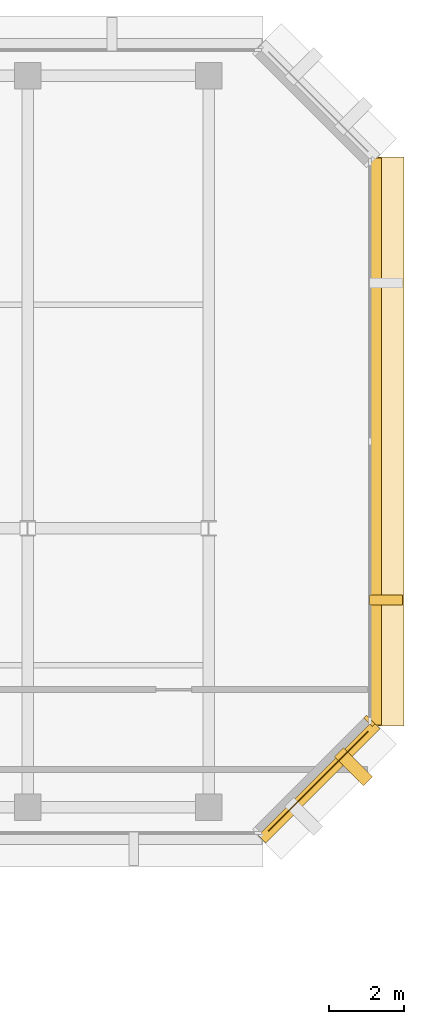
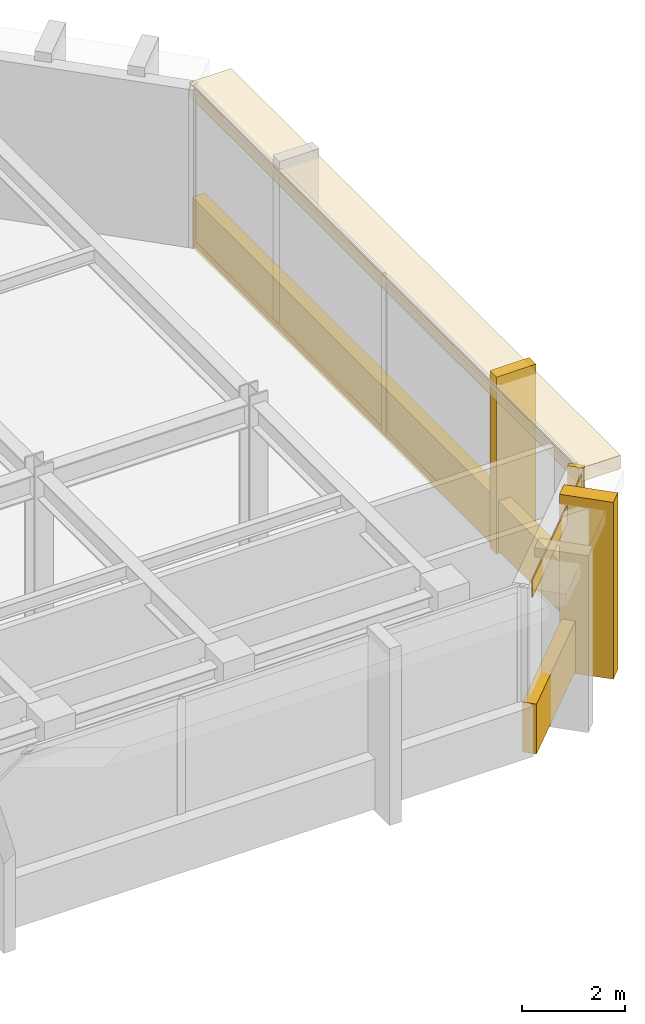
# One storey, part 10 of 12: 7 coverings.
"""IFC4 building model written with IfcOpenShell, lengths in metres."""

import ifcopenshell
import ifcopenshell.guid

model = None  # the IFC model being written
_history = None  # IfcOwnerHistory: only IFC2X3 demands one
_inside = {}  # id of a spatial element -> (the spatial element, [elements in it])
_under = {}  # id of a project, library or spatial element -> (it, [spatial elements below it])
_declared = {}  # id of a project -> (the project, [libraries it declares])
_typed = {}  # id of a type object -> (the type object, [elements of that type])
_made_of = {}  # id of a material, layer set ... -> (it, [elements and type objects made of it])


def new_model(schema):
    """Start an empty IFC model of exactly this schema.

    Asked for "IFC4X3", IfcOpenShell would pick the latest addendum, in which some entities
    have other attributes; the version numbers below select the first issue.
    IFC2X3 requires an IfcOwnerHistory on every rooted entity: one is made here for all.
    """
    global model, _history
    if schema == "IFC4X3":
        model = ifcopenshell.file(schema_version=(4, 3, 0, 0))
    else:
        model = ifcopenshell.file(schema=schema)
    _inside.clear()
    _under.clear()
    _declared.clear()
    _typed.clear()
    _made_of.clear()
    _history = None
    if model.schema == "IFC2X3":
        org = make("IfcOrganization", Name="unknown")
        user = make(
            "IfcPersonAndOrganization",
            ThePerson=make("IfcPerson", FamilyName="unknown"),
            TheOrganization=org,
        )
        app = make(
            "IfcApplication",
            ApplicationDeveloper=org,
            Version="unknown",
            ApplicationFullName="unknown",
            ApplicationIdentifier="unknown",
        )
        _history = make(
            "IfcOwnerHistory",
            OwningUser=user,
            OwningApplication=app,
            ChangeAction="ADDED",
            CreationDate=0,
        )
    return model


def make(cls, **values):
    """One entity of the class cls with the attributes given. An attribute that is None is left unset."""
    return model.create_entity(
        cls, **{name: value for name, value in values.items() if value is not None}
    )


def rooted(cls, **values):
    """An entity with a GlobalId (a new one), such as an element, a storey or a relation."""
    return make(cls, GlobalId=ifcopenshell.guid.new(), OwnerHistory=_history, **values)


def si_unit(unit_type, name, prefix=None):
    """IfcSIUnit, for example si_unit("LENGTHUNIT", "METRE", prefix="MILLI")."""
    return make("IfcSIUnit", UnitType=unit_type, Prefix=prefix, Name=name)


def assignment(units):
    """IfcUnitAssignment: the units of a project."""
    return None if units is None else make("IfcUnitAssignment", Units=units)


def point(xyz):
    """IfcCartesianPoint."""
    return None if xyz is None else make("IfcCartesianPoint", Coordinates=xyz)


def direction(xyz):
    """IfcDirection."""
    return None if xyz is None else make("IfcDirection", DirectionRatios=xyz)


def frame(location, z_axis=None, x_axis=None):
    """IfcAxis2Placement3D, a coordinate frame: its origin and axes. An axis left out is left unset."""
    return make(
        "IfcAxis2Placement3D",
        Location=point(location),
        Axis=direction(z_axis),
        RefDirection=direction(x_axis),
    )


def frame_2d(location, x_axis=None):
    """IfcAxis2Placement2D, a coordinate frame in the plane: its origin and x axis."""
    return make(
        "IfcAxis2Placement2D", Location=point(location), RefDirection=direction(x_axis)
    )


def origin():
    """The frame at (0, 0, 0) with its axes left unset."""
    return frame((0.0, 0.0, 0.0))


def origin_2d():
    """The frame at (0, 0) in the plane with its x axis left unset."""
    return frame_2d((0.0, 0.0))


def place(relative_to, where):
    """IfcLocalPlacement: puts the frame where relative to a parent placement (None: the world)."""
    return make(
        "IfcLocalPlacement", PlacementRelTo=relative_to, RelativePlacement=where
    )


def context(
    kind, dimensions, precision=None, world=None, true_north=None, identifier=None
):
    """IfcGeometricRepresentationContext, for example the 3D "Model" context."""
    return make(
        "IfcGeometricRepresentationContext",
        ContextIdentifier=identifier,
        ContextType=kind,
        CoordinateSpaceDimension=dimensions,
        Precision=precision,
        WorldCoordinateSystem=world,
        TrueNorth=true_north,
    )


def subcontext(parent, identifier, kind, view, scale=None):
    """IfcGeometricRepresentationSubContext, for example "Body" below "Model"."""
    return make(
        "IfcGeometricRepresentationSubContext",
        ContextIdentifier=identifier,
        ContextType=kind,
        ParentContext=parent,
        TargetScale=scale,
        TargetView=view,
    )


def project(units=None, contexts=None):
    """IfcProject with its units and contexts."""
    return rooted(
        "IfcProject",
        Name="project",
        RepresentationContexts=contexts,
        UnitsInContext=assignment(units),
    )


def spatial(cls, under=None, at=None, **own):
    """A site, building, storey or space (cls), placed at a placement, below another one or the project."""
    s = rooted(cls, ObjectPlacement=at, **own)
    if under is not None:
        _under.setdefault(under.id(), (under, []))[1].append(s)
    return s


def profile(cls, at=None, kind="AREA", **sizes):
    """A parametric profile (cls). Its sizes go by their IFC names, for example OverallWidth=200.0."""
    return make(cls, ProfileType=kind, Position=at, **sizes)


def rectangle(**sizes):
    """IfcRectangleProfileDef."""
    return profile("IfcRectangleProfileDef", **sizes)


def extrude(swept, where, along, depth):
    """IfcExtrudedAreaSolid: the profile swept, set in the frame where, extruded along a direction by depth."""
    return make(
        "IfcExtrudedAreaSolid",
        SweptArea=swept,
        Position=where,
        ExtrudedDirection=direction(along),
        Depth=depth,
    )


def shape(context_of_items, identifier, shape_type, items):
    """IfcShapeRepresentation: the items that make up one representation, for example the "Body"."""
    return make(
        "IfcShapeRepresentation",
        ContextOfItems=context_of_items,
        RepresentationIdentifier=identifier,
        RepresentationType=shape_type,
        Items=items,
    )


def material(Name=None, Category=None):
    """IfcMaterial."""
    return make("IfcMaterial", Name=Name, Category=Category)


def layer(
    of_material, thickness, ventilated=None, Name=None, Category=None, Priority=None
):
    """IfcMaterialLayer: one layer of a wall or slab, of a material (None: an air gap)."""
    return make(
        "IfcMaterialLayer",
        Material=of_material,
        LayerThickness=thickness,
        IsVentilated=ventilated,
        Name=Name,
        Category=Category,
        Priority=Priority,
    )


def layer_set(layers, Name=None):
    """IfcMaterialLayerSet."""
    return make("IfcMaterialLayerSet", MaterialLayers=layers, LayerSetName=Name)


def made_of(thing, what):
    """Note that an element or type object is made of a material, layer set ...; save() writes the relation."""
    if what is not None:
        _made_of.setdefault(what.id(), (what, []))[1].append(thing)
    return thing


def type_object(cls, material=None, **own):
    """A type object (cls), such as IfcWallType, which elements share."""
    return made_of(rooted(cls, **own), material)


def element(
    cls,
    number,
    at=None,
    inside=None,
    cuts=None,
    type_object=None,
    material=None,
    context=None,
    identifier="Body",
    shape_type=None,
    held_by="IfcProductDefinitionShape",
    body=None,
    shapes=None,
    **own,
):
    """One element of the class cls, such as IfcWall. Its Tag is "e" and its number.

    at: its placement. inside: the storey or other place that contains it. cuts: it is an
    opening in that element (IfcRelVoidsElement). A single representation is given by context,
    identifier, shape_type and body (its items); several are given by shapes. held_by: the class
    of the entity that holds the representations. save() writes the other relations.
    """
    e = rooted(cls, Tag="e%d" % number, ObjectPlacement=at, **own)
    if body is not None:
        shapes = [shape(context, identifier, shape_type, body)]
    if shapes is not None:
        e.Representation = make(held_by, Representations=shapes)
    if inside is not None:
        _inside.setdefault(inside.id(), (inside, []))[1].append(e)
    if cuts is not None:
        rooted(
            "IfcRelVoidsElement", RelatingBuildingElement=cuts, RelatedOpeningElement=e
        )
    if type_object is not None:
        _typed.setdefault(type_object.id(), (type_object, []))[1].append(e)
    return made_of(e, material)


def aggregate(whole, parts):
    """IfcRelAggregates: a whole, such as a stair, and the parts it consists of."""
    return rooted("IfcRelAggregates", RelatingObject=whole, RelatedObjects=parts)


def save(model, path):
    """Write the relations noted so far, then the file.

    IfcRelAggregates (storeys below a building ...), IfcRelContainedInSpatialStructure (elements
    in a storey), IfcRelDefinesByType, IfcRelAssociatesMaterial and IfcRelDeclares: one each for
    every whole, place, type object, material and project.
    """
    for whole, parts in _under.values():
        aggregate(whole, parts)
    for where, things in _inside.values():
        rooted(
            "IfcRelContainedInSpatialStructure",
            RelatedElements=things,
            RelatingStructure=where,
        )
    for kind, things in _typed.values():
        rooted("IfcRelDefinesByType", RelatedObjects=things, RelatingType=kind)
    for what, things in _made_of.values():
        rooted("IfcRelAssociatesMaterial", RelatedObjects=things, RelatingMaterial=what)
    for by, libraries in _declared.values():
        rooted("IfcRelDeclares", RelatingContext=by, RelatedDefinitions=libraries)
    model.write(path)


model = new_model("IFC4")

# Units and contexts
model_context = context("Model", 3, precision=1e-05, world=origin(), true_north=direction((0.0, 1.0)))
body_context = subcontext(model_context, "Body", "Model", "MODEL_VIEW")
ifc_project = project(units=[si_unit("LENGTHUNIT", "METRE"), si_unit("AREAUNIT", "SQUARE_METRE"), si_unit("VOLUMEUNIT", "CUBIC_METRE"), si_unit("PLANEANGLEUNIT", "RADIAN"), si_unit("MASSUNIT", "GRAM", prefix="KILO")], contexts=[model_context])

# Site, building, storey
site_placement = place(None, origin())
site = spatial("IfcSite", under=ifc_project, at=site_placement, CompositionType="ELEMENT")
building_placement = place(site_placement, origin())
building = spatial("IfcBuilding", under=site, at=building_placement, Name="Kefirva Bronze Tower", CompositionType="ELEMENT")
storey_placement = place(building_placement, frame((0.0, 0.0, 327.68994140625)))
storey = spatial("IfcBuildingStorey", under=building, at=storey_placement, Name="L80", CompositionType="ELEMENT", Elevation=327.68994140625)

# Coverings
ifc_material = material(Name="Bronze anodised aluminium", Category="aluminium")
ifc_layer_1 = layer(ifc_material, 0.02001953125, Name="Bronze anodised aluminium")
ifc_layer_set_1 = layer_set([ifc_layer_1], Name="Bronze anodised aluminium")
covering_type_1 = type_object("IfcCoveringType", Name="Anodised Bronze Spandrel Cladding 20mm", PredefinedType="CLADDING", material=ifc_layer_set_1)
covering_1_placement = place(storey_placement, frame((42.906982421875, 26.492919921875, 3.320068359375), z_axis=(0.0, 0.0, 1.0), x_axis=(0.707106781187, 0.707106781187, 0.0)))
element("IfcCovering", 1, at=covering_1_placement, inside=storey, type_object=covering_type_1, Name="L80 Bronze Spandrel Cladding 7", PredefinedType="CLADDING", context=body_context, shape_type="SweptSolid", body=[
    extrude(rectangle(XDim=3.719482421875, YDim=0.02001953125, at=origin_2d()), origin(), (0.0, 0.0, 1.0), 0.39990234375),
])
covering_2_placement = place(storey_placement, frame((44.26220703125, 28.08837890625, 0.0), z_axis=(0.0, 0.0, 1.0), x_axis=(0.707106781187, 0.707106781187, 0.0)))
element("IfcCovering", 2, at=covering_2_placement, inside=storey, type_object=covering_type_1, Name="L80 Facade Joint Closure Panel 7E", PredefinedType="CLADDING", context=body_context, shape_type="SweptSolid", body=[
    extrude(rectangle(XDim=0.10009765625, YDim=0.320068359375, at=origin_2d()), origin(), (0.0, 0.0, 1.0), 3.739990234375),
])
covering_3_placement = place(storey_placement, frame((42.92822265625, 26.4716796875, -0.15966796875), z_axis=(0.0, 0.0, 1.0), x_axis=(0.707106781187, 0.707106781187, 0.0)))
element("IfcCovering", 3, at=covering_3_placement, inside=storey, type_object=covering_type_1, Name="L80 Streamline Horizontal Spandrel Band 9", PredefinedType="CLADDING", context=body_context, shape_type="SweptSolid", body=[
    extrude(rectangle(XDim=4.28271484375, YDim=0.280029296875, at=origin_2d()), origin(), (0.0, 0.0, 1.0), 1.179931640625),
])
covering_4_placement = place(storey_placement, frame((44.43994140625, 35.5, -0.15966796875), z_axis=(0.0, 0.0, 1.0), x_axis=(0.0, 1.0, 0.0)))
element("IfcCovering", 4, at=covering_4_placement, inside=storey, type_object=covering_type_1, Name="L80 Streamline Horizontal Spandrel Band 10", PredefinedType="CLADDING", context=body_context, shape_type="SweptSolid", body=[
    extrude(rectangle(XDim=15.0400390625, YDim=0.280029296875, at=origin_2d()), origin(), (0.0, 0.0, 1.0), 1.179931640625),
])
ifc_layer_2 = layer(ifc_material, 0.179931640625, Name="Bronze anodised aluminium")
ifc_layer_set_2 = layer_set([ifc_layer_2], Name="Bronze anodised aluminium")
covering_type_2 = type_object("IfcCoveringType", Name="Streamline Bronze Sunshade Eyebrow Cladding 180mm", PredefinedType="CLADDING", material=ifc_layer_set_2)
covering_5_placement = place(storey_placement, frame((44.7099609375, 35.5, 3.419921875), z_axis=(0.0, 0.0, 1.0), x_axis=(0.0, 1.0, 0.0)))
element("IfcCovering", 5, at=covering_5_placement, inside=storey, type_object=covering_type_2, Name="L80 Streamline Bronze Sunshade Eyebrow 10", PredefinedType="CLADDING", context=body_context, shape_type="SweptSolid", body=[
    extrude(rectangle(XDim=15.080078125, YDim=0.93994140625, at=origin_2d()), origin(), (0.0, 0.0, 1.0), 0.320068359375),
])
ifc_layer_3 = layer(ifc_material, 0.260009765625, Name="Bronze anodised aluminium")
ifc_layer_set_3 = layer_set([ifc_layer_3], Name="Bronze anodised aluminium")
covering_type_3 = type_object("IfcCoveringType", Name="Unbroken Bronze Buttress Fin Cladding 260mm", PredefinedType="CLADDING", material=ifc_layer_set_3)
covering_6_placement = place(storey_placement, frame((43.8427734375, 26.877197265625, -0.2197265625), z_axis=(0.0, 0.0, 1.0), x_axis=(0.707106781187, 0.707106781187, 0.0)))
element("IfcCovering", 6, at=covering_6_placement, inside=storey, type_object=covering_type_3, Name="L80 Chamfered Corner Buttress Fin Cladding 12", PredefinedType="CLADDING", context=body_context, shape_type="SweptSolid", body=[
    extrude(rectangle(XDim=0.340087890625, YDim=1.080078125, at=origin_2d()), origin(), (0.0, 0.0, 1.0), 4.179931640625),
])
covering_7_placement = place(storey_placement, frame((44.699951171875, 31.300048828125, -0.2197265625), z_axis=(0.0, 0.0, 1.0), x_axis=(0.0, 1.0, 0.0)))
element("IfcCovering", 7, at=covering_7_placement, inside=storey, type_object=covering_type_3, Name="L80 Unbroken Vertical Bronze Rib Fin 13", PredefinedType="CLADDING", context=body_context, shape_type="SweptSolid", body=[
    extrude(rectangle(XDim=0.260009765625, YDim=0.8798828125, at=origin_2d()), origin(), (0.0, 0.0, 1.0), 4.179931640625),
])

save(model, "model.ifc")
